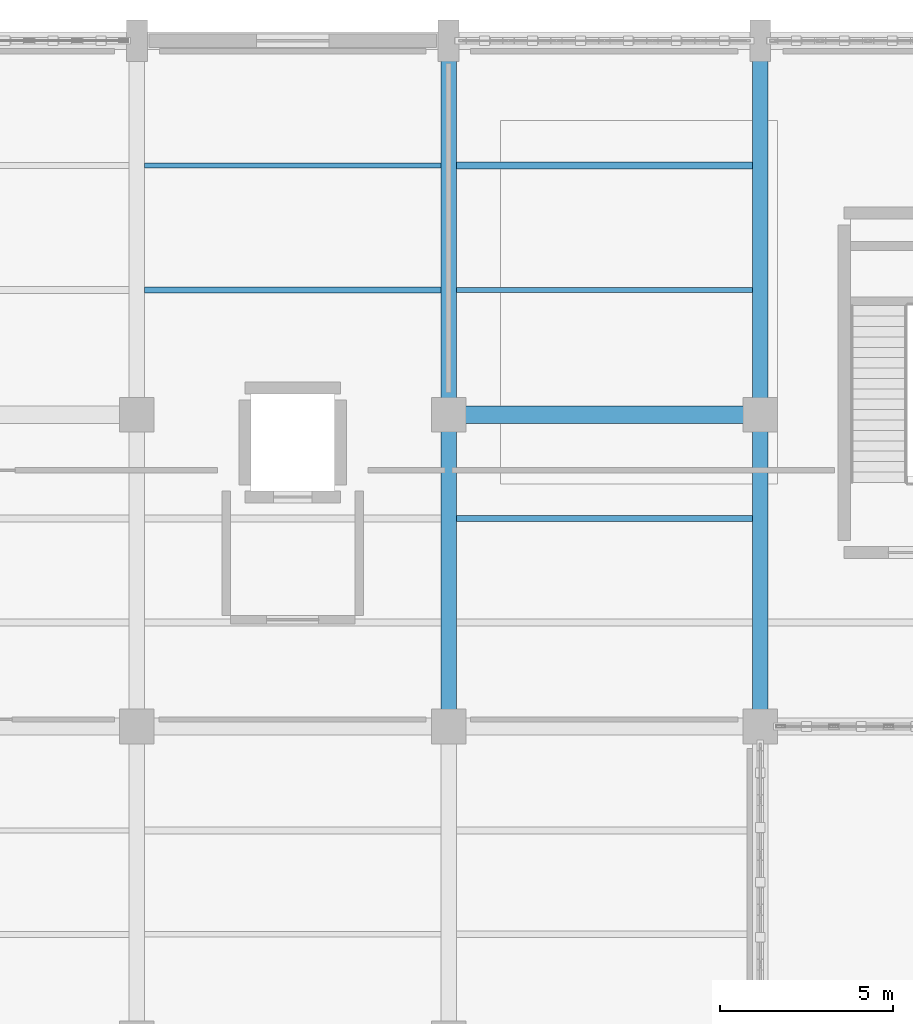
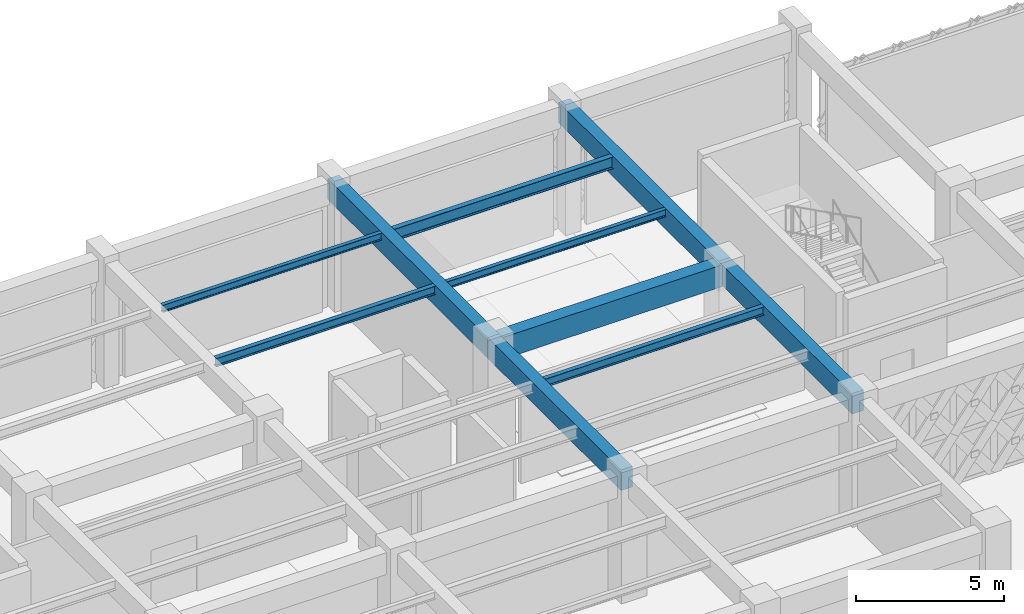
# One storey, part 69 of 140: 10 beams.
"""IFC4 building model written with IfcOpenShell, lengths in metres."""

from ifc_helpers import new_model, si_unit, direction, frame, origin, origin_2d, place, context, subcontext, project, spatial, rectangle, i_section, extrude, material, material_profile, profile_set, type_object, element, save


model = new_model("IFC4")

# Units and contexts
model_context = context("Model", 3, precision=1e-05, world=origin(), true_north=direction((0.0, 1.0)))
body_context = subcontext(model_context, "Body", "Model", "MODEL_VIEW")
ifc_project = project(units=[si_unit("LENGTHUNIT", "METRE"), si_unit("AREAUNIT", "SQUARE_METRE"), si_unit("VOLUMEUNIT", "CUBIC_METRE"), si_unit("PLANEANGLEUNIT", "RADIAN"), si_unit("MASSUNIT", "GRAM", prefix="KILO")], contexts=[model_context])

# Site, building, storey
site_placement = place(None, origin())
site = spatial("IfcSite", under=ifc_project, at=site_placement, CompositionType="ELEMENT")
building_placement = place(site_placement, origin())
building = spatial("IfcBuilding", under=site, at=building_placement, Name="Haizhuo Lancet Aquarium", CompositionType="ELEMENT")
storey_placement = place(building_placement, origin())
storey = spatial("IfcBuildingStorey", under=building, at=storey_placement, Name="L00", CompositionType="ELEMENT", Elevation=0.0)

# Beams
ifc_material_1 = material(Name="Concrete C40/50", Category="concrete")
ifc_material_profile_1 = material_profile(ifc_material_1, rectangle(XDim=0.449951171875, YDim=0.85009765625, at=origin_2d()), Name="RC-BM 450x850")
ifc_profile_set_1 = profile_set([ifc_material_profile_1], Name="Concrete C40/50")
beam_type_1 = type_object("IfcBeamType", Name="BM-RC-450x850", PredefinedType="BEAM", material=ifc_profile_set_1)
beam_1_placement = place(storey_placement, frame((0.0, 36.0, 4.695068359375), z_axis=(0.0, 1.0, 0.0), x_axis=(-1.0, 0.0, 0.0)))
element("IfcBeam", 1, at=beam_1_placement, inside=storey, type_object=beam_type_1, Name="L00 V5 primary girder BM-L00-V5-018", PredefinedType="BEAM", context=body_context, shape_type="SweptSolid", body=[
    extrude(rectangle(XDim=0.449951171875, YDim=0.85009765625, at=origin_2d()), origin(), (0.0, 0.0, 1.0), 9.0),
])
beam_2_placement = place(storey_placement, frame((0.0, 45.0, 4.695068359375), z_axis=(0.0, 1.0, 0.0), x_axis=(-1.0, 0.0, 0.0)))
element("IfcBeam", 2, at=beam_2_placement, inside=storey, type_object=beam_type_1, Name="L00 V5 primary girder BM-L00-V5-020", PredefinedType="BEAM", context=body_context, shape_type="SweptSolid", body=[
    extrude(rectangle(XDim=0.449951171875, YDim=0.85009765625, at=origin_2d()), origin(), (0.0, 0.0, 1.0), 10.800048828125),
])
beam_3_placement = place(storey_placement, frame((9.0, 36.0, 4.695068359375), z_axis=(0.0, 1.0, 0.0), x_axis=(-1.0, 0.0, 0.0)))
element("IfcBeam", 3, at=beam_3_placement, inside=storey, type_object=beam_type_1, Name="L00 V5 primary girder BM-L00-V5-024", PredefinedType="BEAM", context=body_context, shape_type="SweptSolid", body=[
    extrude(rectangle(XDim=0.449951171875, YDim=0.85009765625, at=origin_2d()), origin(), (0.0, 0.0, 1.0), 9.0),
])
beam_4_placement = place(storey_placement, frame((9.0, 45.0, 4.695068359375), z_axis=(0.0, 1.0, 0.0), x_axis=(-1.0, 0.0, 0.0)))
element("IfcBeam", 4, at=beam_4_placement, inside=storey, type_object=beam_type_1, Name="L00 V5 primary girder BM-L00-V5-026", PredefinedType="BEAM", context=body_context, shape_type="SweptSolid", body=[
    extrude(rectangle(XDim=0.449951171875, YDim=0.85009765625, at=origin_2d()), origin(), (0.0, 0.0, 1.0), 10.800048828125),
])
ifc_material_profile_2 = material_profile(ifc_material_1, rectangle(XDim=0.5, YDim=0.89990234375, at=origin_2d()), Name="RC-BM 500x900")
ifc_profile_set_2 = profile_set([ifc_material_profile_2], Name="Concrete C40/50")
beam_type_2 = type_object("IfcBeamType", Name="BM-RC-500x900", PredefinedType="BEAM", material=ifc_profile_set_2)
beam_5_placement = place(storey_placement, frame((0.0, 45.0, 4.669921875), z_axis=(1.0, 0.0, 0.0), x_axis=(0.0, 1.0, 0.0)))
element("IfcBeam", 5, at=beam_5_placement, inside=storey, type_object=beam_type_2, Name="L00 V5 primary girder BM-L00-V5-021", PredefinedType="BEAM", context=body_context, shape_type="SweptSolid", body=[
    extrude(rectangle(XDim=0.5, YDim=0.89990234375, at=origin_2d()), origin(), (0.0, 0.0, 1.0), 9.0),
])
ifc_material_2 = material(Name="Steel S355", Category="steel")
ifc_material_profile_3 = material_profile(ifc_material_2, i_section(OverallWidth=0.14990234375, OverallDepth=0.300048828125, WebThickness=0.006591796875, FlangeThickness=0.009033203125, FilletRadius=0.012939453125, at=origin_2d()), Name="HN 300x150x6.5x9")
ifc_profile_set_3 = profile_set([ifc_material_profile_3], Name="Steel S355")
beam_type_3 = type_object("IfcBeamType", Name="JST-ST-HN300", PredefinedType="JOIST", material=ifc_profile_set_3)
for number, where, z_axis, x_axis, name in (
    (6, (-8.77490234375, 52.199951171875, 4.969970703125), (1.0, 0.0, 0.0), (0.0, 1.0, 0.0), "L00 V5 secondary floor joist 13"),
    (7, (0.22509765625, 48.60009765625, 4.969970703125), (1.0, 0.0, 0.0), (0.0, 1.0, 0.0), "L00 V5 secondary floor joist 18"),
):
    element("IfcBeam", number, at=place(storey_placement, frame(where, z_axis=z_axis, x_axis=x_axis)), inside=storey, type_object=beam_type_3, Name=name, PredefinedType="JOIST", context=body_context, shape_type="SweptSolid", body=[
        extrude(i_section(OverallWidth=0.14990234375, OverallDepth=0.300048828125, WebThickness=0.006591796875, FlangeThickness=0.009033203125, FilletRadius=0.012939453125, at=origin_2d()), origin(), (0.0, 0.0, 1.0), 8.5498046875),
    ])
ifc_material_profile_4 = material_profile(ifc_material_2, i_section(OverallWidth=0.175048828125, OverallDepth=0.35009765625, WebThickness=0.007080078125, FlangeThickness=0.010986328125, FilletRadius=0.013916015625, at=origin_2d()), Name="HN 350x175x7x11")
ifc_profile_set_4 = profile_set([ifc_material_profile_4], Name="Steel S355")
beam_type_4 = type_object("IfcBeamType", Name="JST-ST-HN350", PredefinedType="JOIST", material=ifc_profile_set_4)
for number, where, z_axis, x_axis, name in (
    (8, (-8.77490234375, 48.60009765625, 4.945068359375), (1.0, 0.0, 0.0), (0.0, 1.0, 0.0), "L00 V5 secondary floor joist 12"),
    (9, (0.22509765625, 42.0, 4.945068359375), (1.0, 0.0, 0.0), (0.0, 1.0, 0.0), "L00 V5 secondary floor joist 17"),
):
    element("IfcBeam", number, at=place(storey_placement, frame(where, z_axis=z_axis, x_axis=x_axis)), inside=storey, type_object=beam_type_4, Name=name, PredefinedType="JOIST", context=body_context, shape_type="SweptSolid", body=[
        extrude(i_section(OverallWidth=0.175048828125, OverallDepth=0.35009765625, WebThickness=0.007080078125, FlangeThickness=0.010986328125, FilletRadius=0.013916015625, at=origin_2d()), origin(), (0.0, 0.0, 1.0), 8.5498046875),
    ])
ifc_material_profile_5 = material_profile(ifc_material_2, i_section(OverallWidth=0.199951171875, OverallDepth=0.5, WebThickness=0.010009765625, FlangeThickness=0.01611328125, FilletRadius=0.02001953125, at=origin_2d()), Name="HN 500x200x10x16")
ifc_profile_set_5 = profile_set([ifc_material_profile_5], Name="Steel S355")
beam_type_5 = type_object("IfcBeamType", Name="JST-ST-HN500", PredefinedType="JOIST", material=ifc_profile_set_5)
beam_6_placement = place(storey_placement, frame((0.22509765625, 52.199951171875, 4.8701171875), z_axis=(1.0, 0.0, 0.0), x_axis=(0.0, 1.0, 0.0)))
element("IfcBeam", 10, at=beam_6_placement, inside=storey, type_object=beam_type_5, Name="L00 V5 secondary floor joist 19", PredefinedType="JOIST", context=body_context, shape_type="SweptSolid", body=[
    extrude(i_section(OverallWidth=0.199951171875, OverallDepth=0.5, WebThickness=0.010009765625, FlangeThickness=0.01611328125, FilletRadius=0.02001953125, at=origin_2d()), origin(), (0.0, 0.0, 1.0), 8.5498046875),
])

save(model, "model.ifc")
